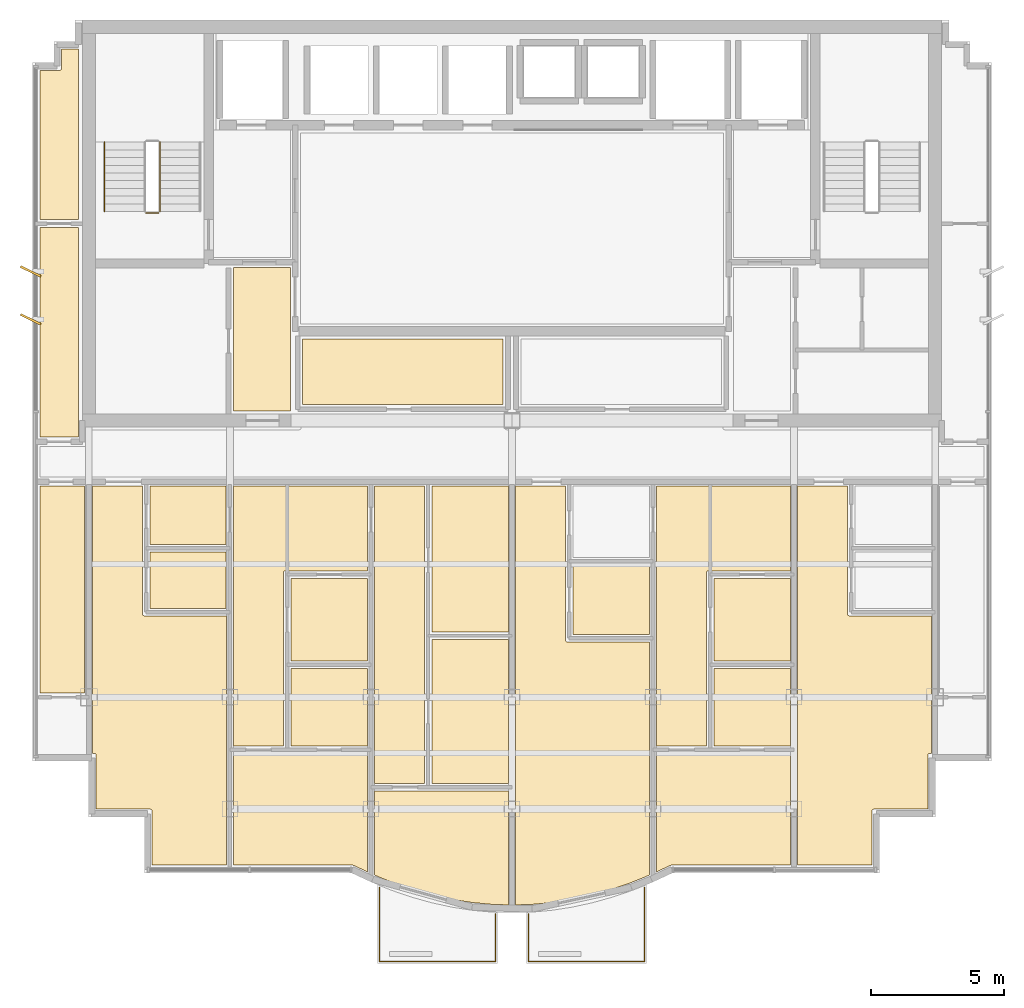
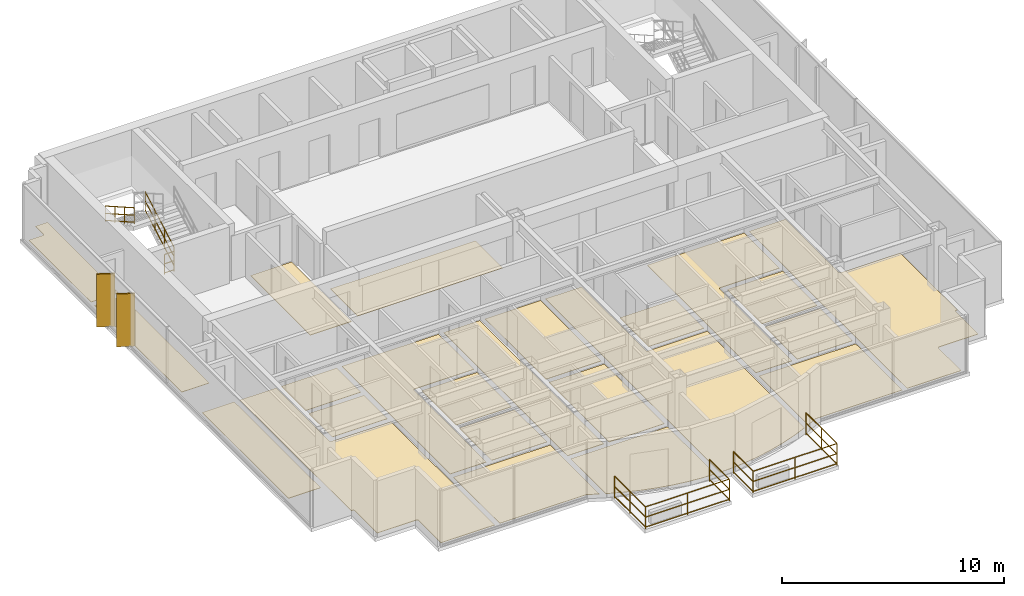
# One storey, part 10 of 11: 23 coverings, 5 railings, 2 shading devices.
"""IFC4 building model written with IfcOpenShell, lengths in metres."""

from ifc_helpers import new_model, si_unit, direction, frame, origin, origin_2d, place, context, subcontext, project, spatial, polyline, rectangle, circle, outline, extrude, source, transform, mapped, material, layer, layer_set, type_object, element, save


model = new_model("IFC4")

# Units and contexts
model_context = context("Model", 3, precision=1e-05, world=origin(), true_north=direction((0.0, 1.0)))
body_context = subcontext(model_context, "Body", "Model", "MODEL_VIEW")
ifc_project = project(units=[si_unit("LENGTHUNIT", "METRE"), si_unit("AREAUNIT", "SQUARE_METRE"), si_unit("VOLUMEUNIT", "CUBIC_METRE"), si_unit("PLANEANGLEUNIT", "RADIAN"), si_unit("MASSUNIT", "GRAM", prefix="KILO")], contexts=[model_context])

# Site, building, storey
site_placement = place(None, origin())
site = spatial("IfcSite", under=ifc_project, at=site_placement, CompositionType="ELEMENT")
building_placement = place(site_placement, origin())
building = spatial("IfcBuilding", under=site, at=building_placement, Name="Qianlan Lanfeng Residences", CompositionType="ELEMENT")
storey_placement = place(building_placement, frame((0.0, 0.0, 259.39990234375)))
storey = spatial("IfcBuildingStorey", under=building, at=storey_placement, Name="L72", CompositionType="ELEMENT", Elevation=259.39990234375)

# Coverings
ifc_material_1 = material(Name="Honed Taitung Granite Stone Flooring", Category="masonry")
ifc_layer_1 = layer(ifc_material_1, 0.030029296875)
ifc_layer_set_1 = layer_set([ifc_layer_1], Name="Honed Taitung Granite Stone Flooring")
covering_type_1 = type_object("IfcCoveringType", Name="FLR-STN-30", PredefinedType="FLOORING", material=ifc_layer_set_1)
covering_1_placement = place(storey_placement, origin())
element("IfcCovering", 1, at=covering_1_placement, inside=storey, type_object=covering_type_1, Name="L72 Lift Lobby Floor Finish", PredefinedType="FLOORING", context=body_context, shape_type="SweptSolid", body=[
    extrude(outline(polyline([(16.030029296875, 25.56005859375), (18.169921875, 25.56005859375), (18.169921875, 30.949951171875), (16.030029296875, 30.949951171875), (16.030029296875, 25.56005859375)])), origin(), (0.0, 0.0, 1.0), 0.030029296875),
])
ifc_material_2 = material(Name="Slip-Resistant Porcelain Tile Flooring")
ifc_layer_2 = layer(ifc_material_2, 0.02001953125)
ifc_layer_set_2 = layer_set([ifc_layer_2], Name="Slip-Resistant Porcelain Tile Flooring")
covering_type_2 = type_object("IfcCoveringType", Name="FLR-TIL-20", PredefinedType="FLOORING", material=ifc_layer_set_2)
covering_2_placement = place(storey_placement, origin())
element("IfcCovering", 2, at=covering_2_placement, inside=storey, type_object=covering_type_2, Name="L72 Kitchen Floor Finish", PredefinedType="FLOORING", context=body_context, shape_type="SweptSolid", body=[
    extrude(outline(polyline([(12.889892578125, 18.139892578125), (15.760009765625, 18.139892578125), (15.760009765625, 20.260009765625), (12.889892578125, 20.260009765625), (12.889892578125, 18.139892578125)])), origin(), (0.0, 0.0, 1.0), 0.02001953125),
])
covering_3_placement = place(storey_placement, origin())
element("IfcCovering", 3, at=covering_3_placement, inside=storey, type_object=covering_type_2, Name="L72 Bathroom Floor Finish", PredefinedType="FLOORING", context=body_context, shape_type="SweptSolid", body=[
    extrude(outline(polyline([(12.889892578125, 20.5400390625), (15.760009765625, 20.5400390625), (15.760009765625, 22.72998046875), (12.889892578125, 22.72998046875), (12.889892578125, 20.5400390625)])), origin(), (0.0, 0.0, 1.0), 0.02001953125),
])
covering_4_placement = place(storey_placement, origin())
element("IfcCovering", 4, at=covering_4_placement, inside=storey, type_object=covering_type_2, Name="L72 En-Suite Bathroom Floor Finish", PredefinedType="FLOORING", context=body_context, shape_type="SweptSolid", body=[
    extrude(outline(polyline([(18.18994140625, 12.9599609375), (21.070068359375, 12.9599609375), (21.070068359375, 15.8798828125), (18.18994140625, 15.8798828125), (18.18994140625, 12.9599609375)])), origin(), (0.0, 0.0, 1.0), 0.02001953125),
])
covering_5_placement = place(storey_placement, origin())
element("IfcCovering", 5, at=covering_5_placement, inside=storey, type_object=covering_type_2, Name="L72 Kitchen Floor Finish", PredefinedType="FLOORING", context=body_context, shape_type="SweptSolid", body=[
    extrude(outline(polyline([(28.7900390625, 17.159912109375), (31.659912109375, 17.159912109375), (31.659912109375, 19.77001953125), (28.7900390625, 19.77001953125), (28.7900390625, 17.159912109375)])), origin(), (0.0, 0.0, 1.0), 0.02001953125),
])
covering_6_placement = place(storey_placement, origin())
element("IfcCovering", 6, at=covering_6_placement, inside=storey, type_object=covering_type_2, Name="L72 En-Suite Bathroom Floor Finish", PredefinedType="FLOORING", context=body_context, shape_type="SweptSolid", body=[
    extrude(outline(polyline([(34.090087890625, 12.9599609375), (36.969970703125, 12.9599609375), (36.969970703125, 15.8798828125), (34.090087890625, 15.8798828125), (34.090087890625, 12.9599609375)])), origin(), (0.0, 0.0, 1.0), 0.02001953125),
])
ifc_material_3 = material(Name="Engineered Smoked Oak Timber Flooring", Category="wood")
ifc_layer_3 = layer(ifc_material_3, 0.02197265625)
ifc_layer_set_3 = layer_set([ifc_layer_3], Name="Engineered Smoked Oak Timber Flooring")
covering_type_3 = type_object("IfcCoveringType", Name="FLR-TIM-22", PredefinedType="FLOORING", material=ifc_layer_set_3)
covering_7_placement = place(storey_placement, origin())
element("IfcCovering", 7, at=covering_7_placement, inside=storey, type_object=covering_type_3, Name="L72 Resident Reading Lounge Floor Finish", PredefinedType="FLOORING", context=body_context, shape_type="SweptSolid", body=[
    extrude(outline(polyline([(18.6298828125, 25.800048828125), (26.169921875, 25.800048828125), (26.169921875, 28.2548828125), (18.6298828125, 28.2548828125), (18.6298828125, 25.800048828125)])), origin(), (0.0, 0.0, 1.0), 0.022216796875),
])
covering_8_placement = place(storey_placement, origin())
element("IfcCovering", 8, at=covering_8_placement, inside=storey, type_object=covering_type_3, Name="L72 Living and Dining Room Floor Finish", PredefinedType="FLOORING", context=body_context, shape_type="SweptSolid", body=[
    extrude(outline(polyline([(15.77001953125, 8.489990234375), (15.77001953125, 17.860107421875), (12.679931640625, 17.860107421875), (12.673095703125, 17.860107421875), (12.666015625, 17.861083984375), (12.659912109375, 17.863037109375), (12.653076171875, 17.864990234375), (12.64697265625, 17.867919921875), (12.64111328125, 17.8720703125), (12.635986328125, 17.8759765625), (12.631103515625, 17.881103515625), (12.6259765625, 17.885986328125), (12.6220703125, 17.89111328125), (12.617919921875, 17.89697265625), (12.614990234375, 17.903076171875), (12.613037109375, 17.909912109375), (12.611083984375, 17.916015625), (12.610107421875, 17.923095703125), (12.610107421875, 17.929931640625), (12.610107421875, 22.72998046875), (10.72998046875, 22.72998046875), (10.72998046875, 12.68994140625), (10.800048828125, 12.68994140625), (10.806884765625, 12.68994140625), (10.81396484375, 12.68896484375), (10.820068359375, 12.68701171875), (10.826904296875, 12.68505859375), (10.8330078125, 12.681884765625), (10.839111328125, 12.677978515625), (10.843994140625, 12.674072265625), (10.84912109375, 12.6689453125), (10.85400390625, 12.6640625), (10.85791015625, 12.658935546875), (10.862060546875, 12.653076171875), (10.864990234375, 12.64697265625), (10.866943359375, 12.639892578125), (10.868896484375, 12.634033203125), (10.8701171875, 12.626953125), (10.8701171875, 12.6201171875), (10.8701171875, 10.590087890625), (12.89990234375, 10.590087890625), (12.906982421875, 10.590087890625), (12.9140625, 10.589111328125), (12.919921875, 10.5869140625), (12.927001953125, 10.5849609375), (12.93310546875, 10.58203125), (12.93896484375, 10.577880859375), (12.944091796875, 10.573974609375), (12.948974609375, 10.569091796875), (12.9541015625, 10.56396484375), (12.9580078125, 10.55908203125), (12.9619140625, 10.552978515625), (12.965087890625, 10.547119140625), (12.967041015625, 10.5400390625), (12.968994140625, 10.533935546875), (12.969970703125, 10.527099609375), (12.969970703125, 10.52001953125), (12.969970703125, 8.489990234375), (15.77001953125, 8.489990234375)])), origin(), (0.0, 0.0, 1.0), 0.022216796875),
])
covering_9_placement = place(storey_placement, origin())
element("IfcCovering", 9, at=covering_9_placement, inside=storey, type_object=covering_type_3, Name="L72 Private Study Floor Finish", PredefinedType="FLOORING", context=body_context, shape_type="SweptSolid", body=[
    extrude(outline(polyline([(18.18994140625, 16.159912109375), (21.070068359375, 16.159912109375), (21.070068359375, 19.27001953125), (18.18994140625, 19.27001953125), (18.18994140625, 16.159912109375)])), origin(), (0.0, 0.0, 1.0), 0.022216796875),
])
covering_10_placement = place(storey_placement, origin())
element("IfcCovering", 10, at=covering_10_placement, inside=storey, type_object=covering_type_3, Name="L72 Villa Family Sitting Room Floor Finish", PredefinedType="FLOORING", context=body_context, shape_type="SweptSolid", body=[
    extrude(outline(polyline([(16.030029296875, 12.9599609375), (17.909912109375, 12.9599609375), (17.909912109375, 19.47998046875), (17.909912109375, 19.487060546875), (17.910888671875, 19.493896484375), (17.9130859375, 19.5), (17.9150390625, 19.507080078125), (17.91796875, 19.512939453125), (17.922119140625, 19.51904296875), (17.926025390625, 19.52392578125), (17.930908203125, 19.529052734375), (17.93603515625, 19.533935546875), (17.94091796875, 19.5380859375), (17.947021484375, 19.5419921875), (17.952880859375, 19.544921875), (17.9599609375, 19.547119140625), (17.966064453125, 19.549072265625), (17.972900390625, 19.550048828125), (17.97998046875, 19.550048828125), (21.070068359375, 19.550048828125), (21.070068359375, 22.72998046875), (16.030029296875, 22.72998046875), (16.030029296875, 12.9599609375)])), origin(), (0.0, 0.0, 1.0), 0.022216796875),
])
covering_11_placement = place(storey_placement, origin())
element("IfcCovering", 11, at=covering_11_placement, inside=storey, type_object=covering_type_3, Name="L72 Master Bedroom Floor Finish", PredefinedType="FLOORING", context=body_context, shape_type="SweptSolid", body=[
    extrude(outline(polyline([(16.030029296875, 12.679931640625), (16.030029296875, 8.489990234375), (20.509033203125, 8.489990234375), (20.51611328125, 8.489990234375), (20.52392578125, 8.488037109375), (20.531005859375, 8.486083984375), (20.5380859375, 8.48291015625), (21.070068359375, 8.236083984375), (21.070068359375, 12.679931640625), (16.030029296875, 12.679931640625)])), origin(), (0.0, 0.0, 1.0), 0.022216796875),
])
covering_12_placement = place(storey_placement, origin())
element("IfcCovering", 12, at=covering_12_placement, inside=storey, type_object=covering_type_3, Name="L72 Bedroom Floor Finish", PredefinedType="FLOORING", context=body_context, shape_type="SweptSolid", body=[
    extrude(outline(polyline([(21.330078125, 11.280029296875), (21.330078125, 8.114013671875), (21.3310546875, 8.114013671875), (22.071044921875, 7.81591796875), (22.81103515625, 7.56298828125), (23.550048828125, 7.35693359375), (24.2880859375, 7.196044921875), (25.02587890625, 7.08203125), (25.762939453125, 7.012939453125), (26.3701171875, 6.993896484375), (26.3701171875, 11.280029296875), (21.330078125, 11.280029296875)])), origin(), (0.0, 0.0, 1.0), 0.022216796875),
])
covering_13_placement = place(storey_placement, origin())
element("IfcCovering", 13, at=covering_13_placement, inside=storey, type_object=covering_type_3, Name="L72 Private Study Floor Finish", PredefinedType="FLOORING", context=body_context, shape_type="SweptSolid", body=[
    extrude(outline(polyline([(23.489990234375, 11.56005859375), (26.3701171875, 11.56005859375), (26.3701171875, 16.969970703125), (23.489990234375, 16.969970703125), (23.489990234375, 11.56005859375)])), origin(), (0.0, 0.0, 1.0), 0.022216796875),
])
covering_14_placement = place(storey_placement, origin())
element("IfcCovering", 14, at=covering_14_placement, inside=storey, type_object=covering_type_3, Name="L72 Co-Working Business Suite Floor Finish", PredefinedType="FLOORING", context=body_context, shape_type="SweptSolid", body=[
    extrude(outline(polyline([(23.489990234375, 17.25), (26.3701171875, 17.25), (26.3701171875, 22.72998046875), (23.489990234375, 22.72998046875), (23.489990234375, 17.25)])), origin(), (0.0, 0.0, 1.0), 0.022216796875),
])
covering_15_placement = place(storey_placement, origin())
element("IfcCovering", 15, at=covering_15_placement, inside=storey, type_object=covering_type_3, Name="L72 Home Office Floor Finish", PredefinedType="FLOORING", context=body_context, shape_type="SweptSolid", body=[
    extrude(outline(polyline([(21.330078125, 11.56005859375), (23.2099609375, 11.56005859375), (23.2099609375, 22.72998046875), (21.330078125, 22.72998046875), (21.330078125, 11.56005859375)])), origin(), (0.0, 0.0, 1.0), 0.022216796875),
])
covering_16_placement = place(storey_placement, origin())
element("IfcCovering", 16, at=covering_16_placement, inside=storey, type_object=covering_type_3, Name="L72 Living and Dining Room Floor Finish", PredefinedType="FLOORING", context=body_context, shape_type="SweptSolid", body=[
    extrude(outline(polyline([(31.669921875, 8.114013671875), (31.669921875, 16.8798828125), (28.580078125, 16.8798828125), (28.572998046875, 16.8798828125), (28.56591796875, 16.881103515625), (28.56005859375, 16.883056640625), (28.552978515625, 16.885009765625), (28.547119140625, 16.887939453125), (28.541015625, 16.89208984375), (28.535888671875, 16.89599609375), (28.531005859375, 16.90087890625), (28.52587890625, 16.906005859375), (28.52197265625, 16.910888671875), (28.51806640625, 16.9169921875), (28.514892578125, 16.923095703125), (28.512939453125, 16.929931640625), (28.510986328125, 16.93603515625), (28.510009765625, 16.943115234375), (28.510009765625, 16.949951171875), (28.510009765625, 22.72998046875), (26.6298828125, 22.72998046875), (26.6298828125, 6.993896484375), (27.237060546875, 7.012939453125), (27.97412109375, 7.08203125), (28.7119140625, 7.196044921875), (29.449951171875, 7.35693359375), (30.18896484375, 7.56298828125), (30.928955078125, 7.81591796875), (31.6689453125, 8.114013671875), (31.669921875, 8.114013671875)])), origin(), (0.0, 0.0, 1.0), 0.022216796875),
])
covering_17_placement = place(storey_placement, origin())
element("IfcCovering", 17, at=covering_17_placement, inside=storey, type_object=covering_type_3, Name="L72 Private Study Floor Finish", PredefinedType="FLOORING", context=body_context, shape_type="SweptSolid", body=[
    extrude(outline(polyline([(34.090087890625, 16.159912109375), (36.969970703125, 16.159912109375), (36.969970703125, 19.27001953125), (34.090087890625, 19.27001953125), (34.090087890625, 16.159912109375)])), origin(), (0.0, 0.0, 1.0), 0.022216796875),
])
covering_18_placement = place(storey_placement, origin())
element("IfcCovering", 18, at=covering_18_placement, inside=storey, type_object=covering_type_3, Name="L72 Villa Family Sitting Room Floor Finish", PredefinedType="FLOORING", context=body_context, shape_type="SweptSolid", body=[
    extrude(outline(polyline([(31.929931640625, 12.9599609375), (33.81005859375, 12.9599609375), (33.81005859375, 19.47998046875), (33.81005859375, 19.487060546875), (33.81103515625, 19.493896484375), (33.81298828125, 19.5), (33.81494140625, 19.507080078125), (33.818115234375, 19.512939453125), (33.822021484375, 19.51904296875), (33.825927734375, 19.52392578125), (33.8310546875, 19.529052734375), (33.8359375, 19.533935546875), (33.841064453125, 19.5380859375), (33.846923828125, 19.5419921875), (33.85302734375, 19.544921875), (33.860107421875, 19.547119140625), (33.865966796875, 19.549072265625), (33.873046875, 19.550048828125), (33.8798828125, 19.550048828125), (36.969970703125, 19.550048828125), (36.969970703125, 22.72998046875), (31.929931640625, 22.72998046875), (31.929931640625, 12.9599609375)])), origin(), (0.0, 0.0, 1.0), 0.022216796875),
])
covering_19_placement = place(storey_placement, origin())
element("IfcCovering", 19, at=covering_19_placement, inside=storey, type_object=covering_type_3, Name="L72 Master Bedroom Floor Finish", PredefinedType="FLOORING", context=body_context, shape_type="SweptSolid", body=[
    extrude(outline(polyline([(31.929931640625, 12.679931640625), (31.929931640625, 8.236083984375), (32.4619140625, 8.48291015625), (32.468994140625, 8.486083984375), (32.47607421875, 8.488037109375), (32.48388671875, 8.489990234375), (32.490966796875, 8.489990234375), (36.969970703125, 8.489990234375), (36.969970703125, 12.679931640625), (31.929931640625, 12.679931640625)])), origin(), (0.0, 0.0, 1.0), 0.022216796875),
])
covering_20_placement = place(storey_placement, origin())
element("IfcCovering", 20, at=covering_20_placement, inside=storey, type_object=covering_type_3, Name="L72 Studio Living Room Floor Finish", PredefinedType="FLOORING", context=body_context, shape_type="SweptSolid", body=[
    extrude(outline(polyline([(42.27001953125, 12.68994140625), (42.27001953125, 17.860107421875), (39.179931640625, 17.860107421875), (39.173095703125, 17.860107421875), (39.166015625, 17.861083984375), (39.159912109375, 17.863037109375), (39.153076171875, 17.864990234375), (39.14697265625, 17.867919921875), (39.14111328125, 17.8720703125), (39.135986328125, 17.8759765625), (39.131103515625, 17.881103515625), (39.1259765625, 17.885986328125), (39.1220703125, 17.89111328125), (39.117919921875, 17.89697265625), (39.114990234375, 17.903076171875), (39.113037109375, 17.909912109375), (39.111083984375, 17.916015625), (39.110107421875, 17.923095703125), (39.110107421875, 17.929931640625), (39.110107421875, 22.72998046875), (37.22998046875, 22.72998046875), (37.22998046875, 8.489990234375), (40.030029296875, 8.489990234375), (40.030029296875, 10.52001953125), (40.030029296875, 10.527099609375), (40.031005859375, 10.533935546875), (40.032958984375, 10.5400390625), (40.034912109375, 10.547119140625), (40.0380859375, 10.552978515625), (40.0419921875, 10.55908203125), (40.0458984375, 10.56396484375), (40.051025390625, 10.569091796875), (40.055908203125, 10.573974609375), (40.06103515625, 10.577880859375), (40.06689453125, 10.58203125), (40.072998046875, 10.5849609375), (40.080078125, 10.5869140625), (40.0859375, 10.589111328125), (40.093017578125, 10.590087890625), (40.10009765625, 10.590087890625), (42.1298828125, 10.590087890625), (42.1298828125, 12.6201171875), (42.1298828125, 12.626953125), (42.131103515625, 12.634033203125), (42.133056640625, 12.639892578125), (42.135009765625, 12.64697265625), (42.137939453125, 12.653076171875), (42.14208984375, 12.658935546875), (42.14599609375, 12.6640625), (42.15087890625, 12.6689453125), (42.156005859375, 12.674072265625), (42.160888671875, 12.677978515625), (42.1669921875, 12.681884765625), (42.173095703125, 12.68505859375), (42.179931640625, 12.68701171875), (42.18603515625, 12.68896484375), (42.193115234375, 12.68994140625), (42.199951171875, 12.68994140625), (42.27001953125, 12.68994140625)])), origin(), (0.0, 0.0, 1.0), 0.022216796875),
])
covering_21_placement = place(storey_placement, origin())
element("IfcCovering", 21, at=covering_21_placement, inside=storey, type_object=covering_type_3, Name="L72 Family Sitting Room Floor Finish", PredefinedType="FLOORING", context=body_context, shape_type="SweptSolid", body=[
    extrude(outline(polyline([(10.43994140625, 22.72998046875), (8.77001953125, 22.72998046875), (8.77001953125, 14.949951171875), (10.43994140625, 14.949951171875), (10.43994140625, 22.72998046875)])), origin(), (0.0, 0.0, 1.0), 0.022216796875),
])
covering_22_placement = place(storey_placement, origin())
element("IfcCovering", 22, at=covering_22_placement, inside=storey, type_object=covering_type_3, Name="L72 Co-Working Business Suite Floor Finish", PredefinedType="FLOORING", context=body_context, shape_type="SweptSolid", body=[
    extrude(outline(polyline([(10.199951171875, 32.449951171875), (8.77001953125, 32.449951171875), (8.77001953125, 24.580078125), (10.199951171875, 24.580078125), (10.199951171875, 32.449951171875)])), origin(), (0.0, 0.0, 1.0), 0.022216796875),
])
covering_23_placement = place(storey_placement, origin())
element("IfcCovering", 23, at=covering_23_placement, inside=storey, type_object=covering_type_3, Name="L72 Resident Lounge Floor Finish", PredefinedType="FLOORING", context=body_context, shape_type="SweptSolid", body=[
    extrude(outline(polyline([(8.77001953125, 32.75), (10.199951171875, 32.75), (10.199951171875, 39.159912109375), (9.570068359375, 39.159912109375), (9.570068359375, 38.429931640625), (9.570068359375, 38.423095703125), (9.569091796875, 38.416015625), (9.56689453125, 38.409912109375), (9.56494140625, 38.403076171875), (9.56201171875, 38.39697265625), (9.55810546875, 38.39111328125), (9.553955078125, 38.385986328125), (9.549072265625, 38.381103515625), (9.5439453125, 38.3759765625), (9.5390625, 38.3720703125), (9.532958984375, 38.367919921875), (9.527099609375, 38.364990234375), (9.52001953125, 38.363037109375), (9.513916015625, 38.361083984375), (9.507080078125, 38.360107421875), (9.5, 38.360107421875), (8.77001953125, 38.360107421875), (8.77001953125, 32.75)])), origin(), (0.0, 0.0, 1.0), 0.022216796875),
])

# Railings
ifc_material_4 = material(Name="Anodised Bronze Aluminium and Laminated Glass Guard Balustrade", Category="aluminium")
railing_type_1 = type_object("IfcRailingType", Name="GR-EXT-1220", PredefinedType="BALUSTRADE", material=ifc_material_4)
railing_1_placement = place(storey_placement, frame((25.8798828125, 6.64892578125, 0.0)))
element("IfcRailing", 24, at=railing_1_placement, inside=storey, type_object=railing_type_1, Name="L72 Terrace Safety Guard GR-L72-SB-W", PredefinedType="BALUSTRADE", context=body_context, shape_type="SweptSolid", body=[
    extrude(circle(Radius=0.02490234375, at=origin_2d()), frame((0.0, 0.0, 0.0849609375), z_axis=(0.0, -1.0, 0.0), x_axis=(1.0, 0.0, 0.0)), (0.0, 0.0, 1.0), 1.77880859375),
    extrude(circle(Radius=0.02490234375, at=origin_2d()), frame((0.0, 0.0, 0.63427734375), z_axis=(0.0, -1.0, 0.0), x_axis=(1.0, 0.0, 0.0)), (0.0, 0.0, 1.0), 1.77880859375),
    extrude(circle(Radius=0.02490234375, at=origin_2d()), frame((0.0, 0.0, 1.19482421875), z_axis=(0.0, -1.0, 0.0), x_axis=(1.0, 0.0, 0.0)), (0.0, 0.0, 1.0), 1.77880859375),
    extrude(circle(Radius=0.02490234375, at=origin_2d()), frame((0.0, -1.77880859375, 0.0849609375), z_axis=(-1.0, 0.0, 0.0), x_axis=(0.0, -1.0, 0.0)), (0.0, 0.0, 1.0), 4.35986328125),
    extrude(circle(Radius=0.02490234375, at=origin_2d()), frame((0.0, -1.77880859375, 0.63427734375), z_axis=(-1.0, 0.0, 0.0), x_axis=(0.0, -1.0, 0.0)), (0.0, 0.0, 1.0), 4.35986328125),
    extrude(circle(Radius=0.02490234375, at=origin_2d()), frame((0.0, -1.77880859375, 1.19482421875), z_axis=(-1.0, 0.0, 0.0), x_axis=(0.0, -1.0, 0.0)), (0.0, 0.0, 1.0), 4.35986328125),
    extrude(circle(Radius=0.02490234375, at=origin_2d()), frame((-4.35986328125, -1.77880859375, 0.0849609375), z_axis=(0.0, 1.0, 0.0), x_axis=(-1.0, 0.0, 0.0)), (0.0, 0.0, 1.0), 2.77880859375),
    extrude(circle(Radius=0.02490234375, at=origin_2d()), frame((-4.35986328125, -1.77880859375, 0.63427734375), z_axis=(0.0, 1.0, 0.0), x_axis=(-1.0, 0.0, 0.0)), (0.0, 0.0, 1.0), 2.77880859375),
    extrude(circle(Radius=0.02490234375, at=origin_2d()), frame((-4.35986328125, -1.77880859375, 1.19482421875), z_axis=(0.0, 1.0, 0.0), x_axis=(-1.0, 0.0, 0.0)), (0.0, 0.0, 1.0), 2.77880859375),
    extrude(circle(Radius=0.02099609375, at=origin_2d()), origin(), (0.0, 0.0, 1.0), 1.169921875),
    extrude(circle(Radius=0.02099609375, at=origin_2d()), frame((0.0, -1.77880859375, 0.0)), (0.0, 0.0, 1.0), 1.169921875),
    extrude(circle(Radius=0.02099609375, at=origin_2d()), frame((-2.179931640625, -1.77880859375, 0.0)), (0.0, 0.0, 1.0), 1.169921875),
    extrude(circle(Radius=0.02099609375, at=origin_2d()), frame((-4.35986328125, -1.77880859375, 0.0)), (0.0, 0.0, 1.0), 1.169921875),
    extrude(circle(Radius=0.02099609375, at=origin_2d()), frame((-4.35986328125, -0.389404296875, 0.0)), (0.0, 0.0, 1.0), 1.169921875),
    extrude(circle(Radius=0.02099609375, at=origin_2d()), frame((-4.35986328125, 1.0, 0.0)), (0.0, 0.0, 1.0), 1.169921875),
])
railing_2_placement = place(storey_placement, frame((31.47998046875, 7.64892578125, 0.0)))
element("IfcRailing", 25, at=railing_2_placement, inside=storey, type_object=railing_type_1, Name="L72 Terrace Safety Guard GR-L72-SB-E", PredefinedType="BALUSTRADE", context=body_context, shape_type="SweptSolid", body=[
    extrude(circle(Radius=0.02490234375, at=origin_2d()), frame((0.0, 0.0, 0.0849609375), z_axis=(0.0, -1.0, 0.0), x_axis=(1.0, 0.0, 0.0)), (0.0, 0.0, 1.0), 2.77880859375),
    extrude(circle(Radius=0.02490234375, at=origin_2d()), frame((0.0, 0.0, 0.63427734375), z_axis=(0.0, -1.0, 0.0), x_axis=(1.0, 0.0, 0.0)), (0.0, 0.0, 1.0), 2.77880859375),
    extrude(circle(Radius=0.02490234375, at=origin_2d()), frame((0.0, 0.0, 1.19482421875), z_axis=(0.0, -1.0, 0.0), x_axis=(1.0, 0.0, 0.0)), (0.0, 0.0, 1.0), 2.77880859375),
    extrude(circle(Radius=0.02490234375, at=origin_2d()), frame((0.0, -2.77880859375, 0.0849609375), z_axis=(-1.0, 0.0, 0.0), x_axis=(0.0, -1.0, 0.0)), (0.0, 0.0, 1.0), 4.35986328125),
    extrude(circle(Radius=0.02490234375, at=origin_2d()), frame((0.0, -2.77880859375, 0.63427734375), z_axis=(-1.0, 0.0, 0.0), x_axis=(0.0, -1.0, 0.0)), (0.0, 0.0, 1.0), 4.35986328125),
    extrude(circle(Radius=0.02490234375, at=origin_2d()), frame((0.0, -2.77880859375, 1.19482421875), z_axis=(-1.0, 0.0, 0.0), x_axis=(0.0, -1.0, 0.0)), (0.0, 0.0, 1.0), 4.35986328125),
    extrude(circle(Radius=0.02490234375, at=origin_2d()), frame((-4.35986328125, -2.77880859375, 0.0849609375), z_axis=(0.0, 1.0, 0.0), x_axis=(-1.0, 0.0, 0.0)), (0.0, 0.0, 1.0), 1.77880859375),
    extrude(circle(Radius=0.02490234375, at=origin_2d()), frame((-4.35986328125, -2.77880859375, 0.63427734375), z_axis=(0.0, 1.0, 0.0), x_axis=(-1.0, 0.0, 0.0)), (0.0, 0.0, 1.0), 1.77880859375),
    extrude(circle(Radius=0.02490234375, at=origin_2d()), frame((-4.35986328125, -2.77880859375, 1.19482421875), z_axis=(0.0, 1.0, 0.0), x_axis=(-1.0, 0.0, 0.0)), (0.0, 0.0, 1.0), 1.77880859375),
    extrude(circle(Radius=0.02099609375, at=origin_2d()), origin(), (0.0, 0.0, 1.0), 1.169921875),
    extrude(circle(Radius=0.02099609375, at=origin_2d()), frame((0.0, -1.389404296875, 0.0)), (0.0, 0.0, 1.0), 1.169921875),
    extrude(circle(Radius=0.02099609375, at=origin_2d()), frame((0.0, -2.77880859375, 0.0)), (0.0, 0.0, 1.0), 1.169921875),
    extrude(circle(Radius=0.02099609375, at=origin_2d()), frame((-2.179931640625, -2.77880859375, 0.0)), (0.0, 0.0, 1.0), 1.169921875),
    extrude(circle(Radius=0.02099609375, at=origin_2d()), frame((-4.35986328125, -2.77880859375, 0.0)), (0.0, 0.0, 1.0), 1.169921875),
    extrude(circle(Radius=0.02099609375, at=origin_2d()), frame((-4.35986328125, -1.0, 0.0)), (0.0, 0.0, 1.0), 1.169921875),
])
ifc_material_5 = material(Name="Painted Galvanised Steel Guardrail", Category="steel")
railing_type_2 = type_object("IfcRailingType", Name="GR-ST-1120", PredefinedType="GUARDRAIL", material=ifc_material_5)
railing_3_placement = place(storey_placement, frame((13.27001953125, 33.050048828125, 0.1650390625)))
element("IfcRailing", 26, at=railing_3_placement, inside=storey, type_object=railing_type_2, Name="L72 ST-1 stair guard 1", PredefinedType="GUARDRAIL", context=body_context, shape_type="SweptSolid", body=[
    extrude(circle(Radius=0.02392578125, at=origin_2d()), frame((0.0, 0.0, 0.083984375), z_axis=(0.0, 0.869137319866, 0.494570843475), x_axis=(-1.0, 0.0, 0.0)), (0.0, 0.0, 1.0), 3.0029296875),
    extrude(circle(Radius=0.02392578125, at=origin_2d()), frame((0.0, 0.0, 0.58251953125), z_axis=(0.0, 0.869137319866, 0.494570843475), x_axis=(-1.0, 0.0, 0.0)), (0.0, 0.0, 1.0), 3.0029296875),
    extrude(circle(Radius=0.02392578125, at=origin_2d()), frame((0.0, 0.0, 1.09619140625), z_axis=(0.0, 0.869137319866, 0.494570843475), x_axis=(-1.0, 0.0, 0.0)), (0.0, 0.0, 1.0), 3.0029296875),
    extrude(circle(Radius=0.02099609375, at=origin_2d()), origin(), (0.0, 0.0, 1.0), 1.072021484375),
    extrude(circle(Radius=0.02099609375, at=origin_2d()), frame((0.0, 0.869873046875, 0.4951171875)), (0.0, 0.0, 1.0), 1.072021484375),
    extrude(circle(Radius=0.02099609375, at=origin_2d()), frame((0.0, 1.739990234375, 0.989990234375)), (0.0, 0.0, 1.0), 1.072021484375),
    extrude(circle(Radius=0.02099609375, at=origin_2d()), frame((0.0, 2.60986328125, 1.485107421875)), (0.0, 0.0, 1.0), 1.072021484375),
])
railing_4_placement = place(storey_placement, frame((13.219970703125, 33.0, 0.0)))
element("IfcRailing", 27, at=railing_4_placement, inside=storey, type_object=railing_type_2, Name="L72 ST-1 stair guard 4", PredefinedType="GUARDRAIL", context=body_context, shape_type="SweptSolid", body=[
    extrude(circle(Radius=0.02392578125, at=origin_2d()), frame((0.0, 0.0, 0.083984375), z_axis=(-1.0, 0.0, 0.0), x_axis=(0.0, -1.0, 0.0)), (0.0, 0.0, 1.0), 0.47998046875),
    extrude(circle(Radius=0.02392578125, at=origin_2d()), frame((0.0, 0.0, 0.58251953125), z_axis=(-1.0, 0.0, 0.0), x_axis=(0.0, -1.0, 0.0)), (0.0, 0.0, 1.0), 0.47998046875),
    extrude(circle(Radius=0.02392578125, at=origin_2d()), frame((0.0, 0.0, 1.09619140625), z_axis=(-1.0, 0.0, 0.0), x_axis=(0.0, -1.0, 0.0)), (0.0, 0.0, 1.0), 0.47998046875),
    extrude(circle(Radius=0.02099609375, at=origin_2d()), origin(), (0.0, 0.0, 1.0), 1.072021484375),
    extrude(circle(Radius=0.02099609375, at=origin_2d()), frame((-0.47998046875, 0.0, 0.0)), (0.0, 0.0, 1.0), 1.072021484375),
])
ifc_material_6 = material(Name="Brushed Stainless Steel Handrail", Category="steel")
railing_type_3 = type_object("IfcRailingType", Name="HR-ST-920", PredefinedType="HANDRAIL", material=ifc_material_6)
railing_5_placement = place(storey_placement, frame((11.18994140625, 35.659912109375, 1.815185546875)))
element("IfcRailing", 28, at=railing_5_placement, inside=storey, type_object=railing_type_3, Name="L72 ST-1 stair handrail 2", PredefinedType="HANDRAIL", context=body_context, shape_type="SweptSolid", body=[
    extrude(circle(Radius=0.02392578125, at=origin_2d()), frame((0.0, 0.0, 0.083984375), z_axis=(0.0, -0.869172267526, 0.494509422927), x_axis=(1.0, 0.0, 0.0)), (0.0, 0.0, 1.0), 3.002685546875),
    extrude(circle(Radius=0.02392578125, at=origin_2d()), frame((0.0, 0.0, 0.468017578125), z_axis=(0.0, -0.869172267526, 0.494509422927), x_axis=(1.0, 0.0, 0.0)), (0.0, 0.0, 1.0), 3.002685546875),
    extrude(circle(Radius=0.02392578125, at=origin_2d()), frame((0.0, 0.0, 0.8759765625), z_axis=(0.0, -0.869172267526, 0.494509422927), x_axis=(1.0, 0.0, 0.0)), (0.0, 0.0, 1.0), 3.002685546875),
    extrude(circle(Radius=0.02099609375, at=origin_2d()), origin(), (0.0, 0.0, 1.0), 0.851806640625),
    extrude(circle(Radius=0.02099609375, at=origin_2d()), frame((0.0, -0.869873046875, 0.494873046875)), (0.0, 0.0, 1.0), 0.851806640625),
    extrude(circle(Radius=0.02099609375, at=origin_2d()), frame((0.0, -1.739990234375, 0.989990234375)), (0.0, 0.0, 1.0), 0.851806640625),
    extrude(circle(Radius=0.02099609375, at=origin_2d()), frame((0.0, -2.60986328125, 1.48486328125)), (0.0, 0.0, 1.0), 0.851806640625),
])

# Shading devices
ifc_material_7 = material(Name="Anodised Bronze Aluminium Solar Fin", Category="aluminium")
shading_device_type = type_object("IfcShadingDeviceType", Name="FIN-BRZ-850", PredefinedType="SHUTTER", material=ifc_material_7)
shared_shape = source(origin(), body_context, "Body", "SweptSolid", [
    extrude(rectangle(XDim=0.85009765625, YDim=0.080078125, at=origin_2d()), origin(), (0.0, 0.0, 1.0), 2.89990234375),
])
for number, where, z_axis, x_axis, name in (
    (29, (8.409912109375, 29.0, 0.000244140625), (0.0, 0.0, 1.0), (0.898794046299, -0.438371146789, 0.0), "L72 Raked Bronze Solar Fin W1"),
    (30, (8.409912109375, 30.800048828125, 0.000244140625), (0.0, 0.0, 1.0), (0.898794046299, -0.438371146789, 0.0), "L72 Raked Bronze Solar Fin W2"),
):
    element("IfcShadingDevice", number, at=place(storey_placement, frame(where, z_axis=z_axis, x_axis=x_axis)), inside=storey, type_object=shading_device_type, Name=name, PredefinedType="SHUTTER", context=body_context, shape_type="MappedRepresentation", body=[
        mapped(shared_shape, transform((0.0, 0.0, 0.0), scale=1.0)),
    ])

save(model, "model.ifc")
